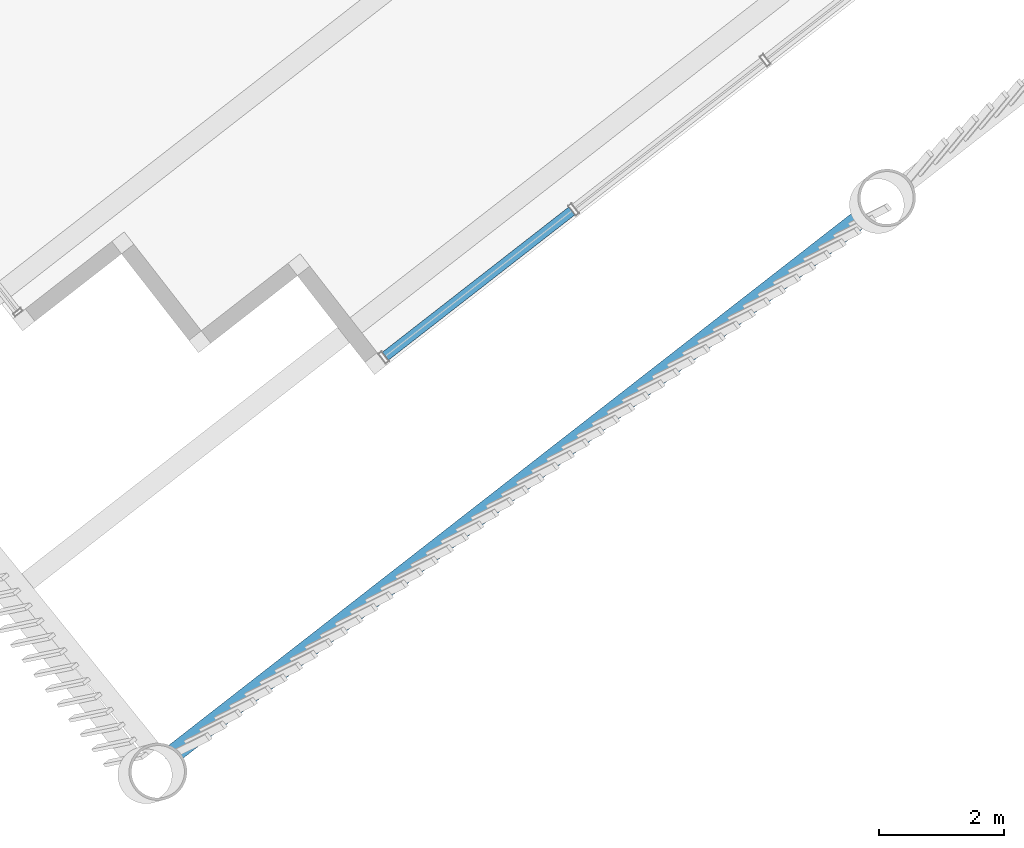
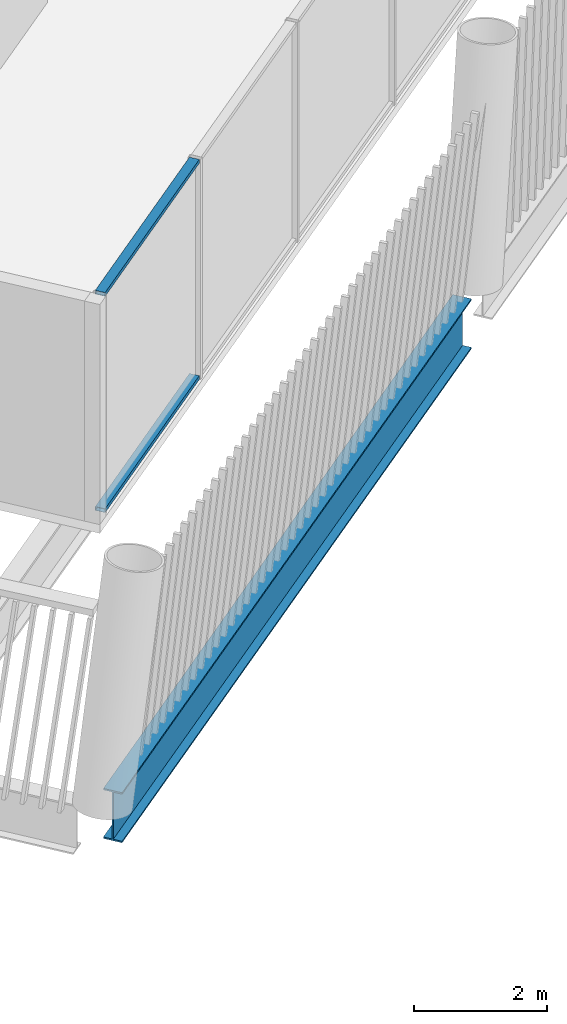
# One storey, part 9 of 28: 2 members, 1 beam, 1 element without a shape of its own.
"""IFC4 building model written with IfcOpenShell, lengths in metres."""

from ifc_helpers import new_model, si_unit, direction, frame, origin, origin_2d, place, context, subcontext, project, spatial, hollow_rectangle, i_section, extrude, material, layer, layer_set, material_profile, profile_set, type_object, element, aggregate, save


model = new_model("IFC4")

# Units and contexts
model_context = context("Model", 3, precision=1e-05, world=origin(), true_north=direction((0.0, 1.0)))
body_context = subcontext(model_context, "Body", "Model", "MODEL_VIEW")
ifc_project = project(units=[si_unit("LENGTHUNIT", "METRE"), si_unit("AREAUNIT", "SQUARE_METRE"), si_unit("VOLUMEUNIT", "CUBIC_METRE"), si_unit("PLANEANGLEUNIT", "RADIAN"), si_unit("MASSUNIT", "GRAM", prefix="KILO")], contexts=[model_context])

# Site, building, storey
site_placement = place(None, origin())
site = spatial("IfcSite", under=ifc_project, at=site_placement, CompositionType="ELEMENT")
building_placement = place(site_placement, origin())
building = spatial("IfcBuilding", under=site, at=building_placement, Name="Tarsis Ring Headquarters", CompositionType="ELEMENT")
storey_placement = place(building_placement, frame((0.0, 0.0, 381.800048828125)))
storey = spatial("IfcBuildingStorey", under=building, at=storey_placement, Name="L90", CompositionType="ELEMENT", Elevation=381.800048828125)

# Curtain wall, members
ifc_material_1 = material(Name="Aluminium curtain wall", Category="aluminium")
ifc_layer = layer(ifc_material_1, 0.199951171875)
ifc_layer_set = layer_set([ifc_layer], Name="Curtain wall executive tip")
curtain_wall_type = type_object("IfcCurtainWallType", Name="Curtain wall executive tip", PredefinedType="NOTDEFINED", material=ifc_layer_set)
curtain_wall_placement = place(storey_placement, origin())
curtain_wall = element("IfcCurtainWall", 1, at=curtain_wall_placement, inside=storey, type_object=curtain_wall_type, Name="Curtain wall L90-11", PredefinedType="NOTDEFINED")
ifc_material_2 = material(Name="Aluminium transom", Category="aluminium")
ifc_material_profile_1 = material_profile(ifc_material_2, hollow_rectangle(XDim=0.159912109375, YDim=0.070068359375, WallThickness=0.0048828125, at=origin_2d()), Name="RHS 160x70x5")
ifc_profile_set_1 = profile_set([ifc_material_profile_1], Name="Aluminium transom")
member_type = type_object("IfcMemberType", Name="Curtain wall transom executive tip RHS 160x70x5", PredefinedType="USERDEFINED", material=ifc_profile_set_1)
member_1_placement = place(storey_placement, frame((13.530517578125, -29.864990234375, 0.034912109375), z_axis=(0.788877756603, 0.614550148594, 0.0), x_axis=(-0.614550148594, 0.788877756603, 0.0)))
member_1 = element("IfcMember", 2, at=member_1_placement, type_object=member_type, Name="CW-E transom 1.1", ObjectType="TRANSOM", PredefinedType="USERDEFINED", context=body_context, shape_type="SweptSolid", body=[
    extrude(hollow_rectangle(XDim=0.159912109375, YDim=0.070068359375, WallThickness=0.0048828125, at=origin_2d()), origin(), (0.0, 0.0, 1.0), 3.77001953125),
])
member_2_placement = place(storey_placement, frame((13.530517578125, -29.864990234375, 4.0048828125), z_axis=(0.788877756603, 0.614550148594, 0.0), x_axis=(-0.614550148594, 0.788877756603, 0.0)))
member_2 = element("IfcMember", 3, at=member_2_placement, type_object=member_type, Name="CW-E transom 1.2", ObjectType="TRANSOM", PredefinedType="USERDEFINED", context=body_context, shape_type="SweptSolid", body=[
    extrude(hollow_rectangle(XDim=0.159912109375, YDim=0.070068359375, WallThickness=0.0048828125, at=origin_2d()), origin(), (0.0, 0.0, 1.0), 3.77001953125),
])
aggregate(curtain_wall, [member_1, member_2])

# Beam
ifc_material_3 = material(Name="Structural steel S355", Category="steel")
ifc_material_profile_2 = material_profile(ifc_material_3, i_section(OverallWidth=0.3046875, OverallDepth=0.91943359375, WebThickness=0.017333984375, FlangeThickness=0.02783203125, at=origin_2d()), Name="W36x170")
ifc_profile_set_2 = profile_set([ifc_material_profile_2], Name="Structural steel S355")
beam_type = type_object("IfcBeamType", Name="XG Ring girder W36x170", PredefinedType="BEAM", material=ifc_profile_set_2)
beam_placement = place(storey_placement, frame((10.0361328125, -36.295166015625, -0.459716796875), z_axis=(0.788869466137, 0.614560790644, 0.0), x_axis=(-0.614560790644, 0.788869466137, 0.0)))
element("IfcBeam", 4, at=beam_placement, inside=storey, type_object=beam_type, Name="Ring girder XG4", PredefinedType="BEAM", context=body_context, shape_type="SweptSolid", body=[
    extrude(i_section(OverallWidth=0.3046875, OverallDepth=0.91943359375, WebThickness=0.017333984375, FlangeThickness=0.02783203125, at=origin_2d()), origin(), (0.0, 0.0, 1.0), 13.976806640625),
])

save(model, "model.ifc")
